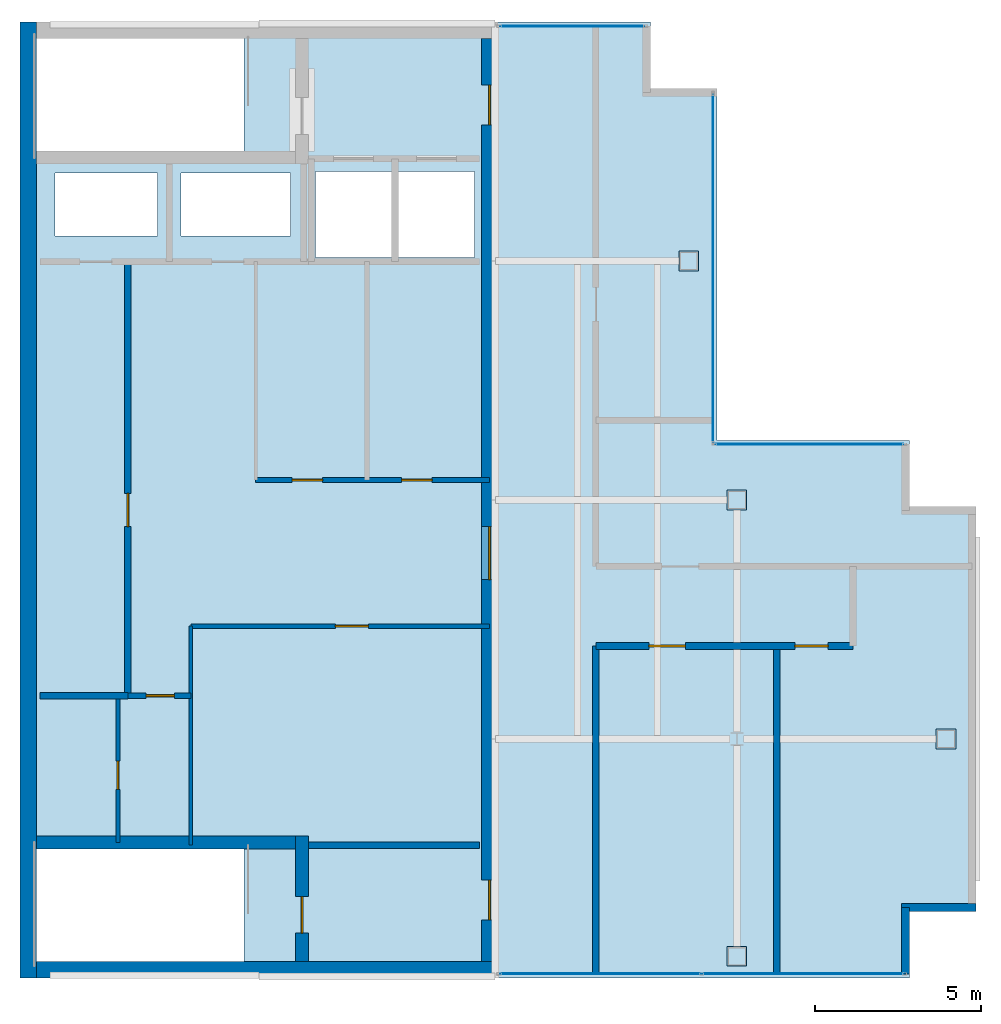
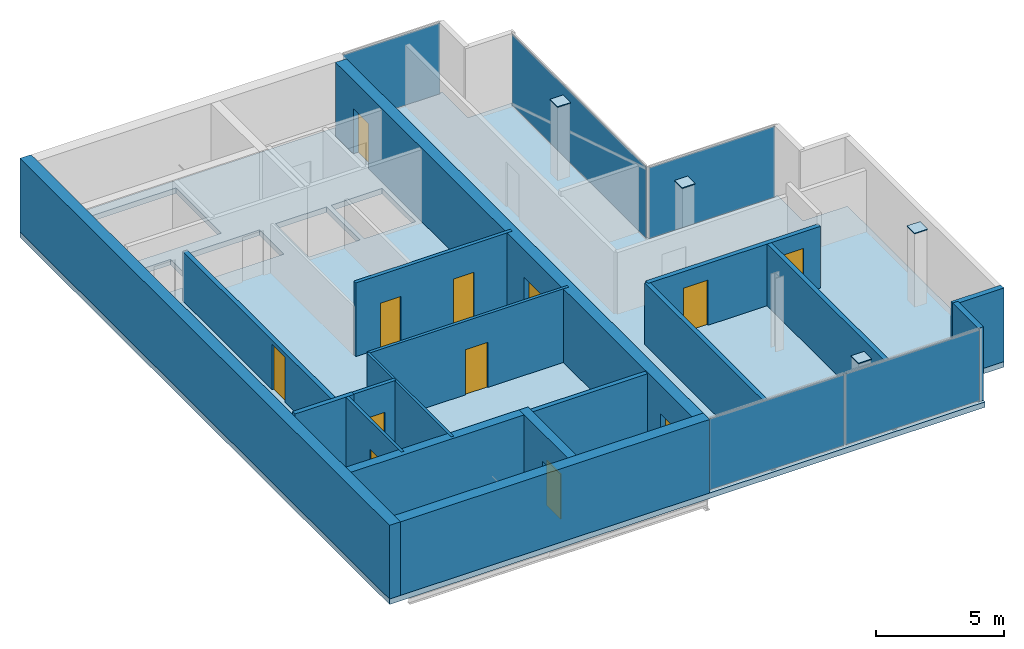
# One storey, part 13 of 15: 18 walls, 12 doors, 9 plates, 1 slab, 18 openings, 4 elements without a shape of their own.
"""IFC4 building model written with IfcOpenShell, lengths in metres."""

from ifc_helpers import new_model, si_unit, direction, frame, frame_2d, origin, origin_2d, place, context, subcontext, project, spatial, polyline, rectangle, outline, extrude, material, layer, layer_set, type_object, element, fill, aggregate, save


model = new_model("IFC4")

# Units and contexts
model_context = context("Model", 3, precision=1e-05, world=origin(), true_north=direction((0.0, 1.0)))
body_context = subcontext(model_context, "Body", "Model", "MODEL_VIEW")
ifc_project = project(units=[si_unit("LENGTHUNIT", "METRE"), si_unit("AREAUNIT", "SQUARE_METRE"), si_unit("VOLUMEUNIT", "CUBIC_METRE"), si_unit("PLANEANGLEUNIT", "RADIAN"), si_unit("MASSUNIT", "GRAM", prefix="KILO")], contexts=[model_context])

# Site, building, storey
site_placement = place(None, origin())
site = spatial("IfcSite", under=ifc_project, at=site_placement, CompositionType="ELEMENT")
building_placement = place(site_placement, origin())
building = spatial("IfcBuilding", under=site, at=building_placement, Name="Cobrela Telecom Tower", CompositionType="ELEMENT")
storey_placement = place(building_placement, frame((0.0, 0.0, 301.35009765625)))
storey = spatial("IfcBuildingStorey", under=building, at=storey_placement, Name="L79", CompositionType="ELEMENT", Elevation=301.35009765625)

# Curtain wall, plate
ifc_material_1 = material(Name="Anodized Bronze Aluminium 6063-T6", Category="aluminium")
curtain_wall_type = type_object("IfcCurtainWallType", Name="CW-SYS-DRUM", PredefinedType="USERDEFINED", material=ifc_material_1)
curtain_wall_1_placement = place(storey_placement, origin())
curtain_wall_1 = element("IfcCurtainWall", 1, at=curtain_wall_1_placement, inside=storey, type_object=curtain_wall_type, Name="L79 Unitised Bronze Curtain Wall 01", ObjectType="UNITISED CURTAIN WALL", PredefinedType="USERDEFINED")
ifc_material_2 = material(Name="Solar-Control Bronze Low-E Glass", Category="glass")
ifc_layer_1 = layer(ifc_material_2, 0.028076171875)
ifc_layer_set_1 = layer_set([ifc_layer_1], Name="Solar-Control Bronze Low-E Glass")
plate_type_1 = type_object("IfcPlateType", Name="CW-SYS-DRUM-PNL", PredefinedType="CURTAIN_PANEL", material=ifc_layer_set_1)
plate_1_placement = place(storey_placement, frame((16.639892578125, 35.8798828125, 0.06494140625), z_axis=(0.0, 0.0, 1.0), x_axis=(1.0, 0.0, 0.0)))
plate_1 = element("IfcPlate", 2, at=plate_1_placement, type_object=plate_type_1, Name="CW-DRUM panel 1.1", PredefinedType="CURTAIN_PANEL", context=body_context, shape_type="SweptSolid", body=[
    extrude(rectangle(XDim=4.35009765625, YDim=0.028076171875, at=origin_2d()), origin(), (0.0, 0.0, 1.0), 3.3701171875),
])
aggregate(curtain_wall_1, [plate_1])

curtain_wall_2_placement = place(storey_placement, origin())
curtain_wall_2 = element("IfcCurtainWall", 3, at=curtain_wall_2_placement, inside=storey, type_object=curtain_wall_type, Name="L79 Unitised Bronze Curtain Wall 04", ObjectType="UNITISED CURTAIN WALL", PredefinedType="USERDEFINED")
plate_2_placement = place(storey_placement, frame((20.8798828125, 28.580078125, 0.06494140625), z_axis=(0.0, 0.0, 1.0), x_axis=(0.0, -1.0, 0.0)))
plate_2 = element("IfcPlate", 4, at=plate_2_placement, type_object=plate_type_1, Name="CW-DRUM panel 1.1", PredefinedType="CURTAIN_PANEL", context=body_context, shape_type="SweptSolid", body=[
    extrude(rectangle(XDim=10.469970703125, YDim=0.028076171875, at=origin_2d()), origin(), (0.0, 0.0, 1.0), 3.3701171875),
])
aggregate(curtain_wall_2, [plate_2])

curtain_wall_3_placement = place(storey_placement, origin())
curtain_wall_3 = element("IfcCurtainWall", 5, at=curtain_wall_3_placement, inside=storey, type_object=curtain_wall_type, Name="L79 Unitised Bronze Curtain Wall 05", ObjectType="UNITISED CURTAIN WALL", PredefinedType="USERDEFINED")
plate_3_placement = place(storey_placement, frame((23.780029296875, 23.280029296875, 0.06494140625), z_axis=(0.0, 0.0, 1.0), x_axis=(1.0, 0.0, 0.0)))
plate_3 = element("IfcPlate", 6, at=plate_3_placement, type_object=plate_type_1, Name="CW-DRUM panel 1.1", PredefinedType="CURTAIN_PANEL", context=body_context, shape_type="SweptSolid", body=[
    extrude(rectangle(XDim=5.669921875, YDim=0.028076171875, at=origin_2d()), origin(), (0.0, 0.0, 1.0), 3.3701171875),
])
aggregate(curtain_wall_3, [plate_3])

# Curtain wall, plates
curtain_wall_4_placement = place(storey_placement, origin())
curtain_wall_4 = element("IfcCurtainWall", 7, at=curtain_wall_4_placement, inside=storey, type_object=curtain_wall_type, Name="L79 Unitised Bronze Curtain Wall 11", ObjectType="UNITISED CURTAIN WALL", PredefinedType="USERDEFINED")
plate_4_placement = place(storey_placement, frame((23.59375, 7.320068359375, 0.06494140625), z_axis=(0.0, 0.0, 1.0), x_axis=(-1.0, 0.0, 0.0)))
plate_4 = element("IfcPlate", 8, at=plate_4_placement, type_object=plate_type_1, Name="CW-DRUM panel 1.1", PredefinedType="CURTAIN_PANEL", context=body_context, shape_type="SweptSolid", body=[
    extrude(rectangle(XDim=6.04248046875, YDim=0.028076171875, at=origin_2d()), origin(), (0.0, 0.0, 1.0), 3.3701171875),
])
plate_5_placement = place(storey_placement, frame((17.486328125, 7.320068359375, 0.06494140625), z_axis=(0.0, 0.0, 1.0), x_axis=(-1.0, 0.0, 0.0)))
plate_5 = element("IfcPlate", 9, at=plate_5_placement, type_object=plate_type_1, Name="CW-DRUM panel 2.1", PredefinedType="CURTAIN_PANEL", context=body_context, shape_type="SweptSolid", body=[
    extrude(rectangle(XDim=6.04248046875, YDim=0.028076171875, at=origin_2d()), origin(), (0.0, 0.0, 1.0), 3.3701171875),
])
aggregate(curtain_wall_4, [plate_4, plate_5])

# Plates
ifc_material_3 = material(Name="Steel ASTM A572 Grade 50", Category="steel")
ifc_layer_2 = layer(ifc_material_3, 0.044921875)
ifc_layer_set_2 = layer_set([ifc_layer_2], Name="Steel ASTM A572 Grade 50")
plate_type_2 = type_object("IfcPlateType", Name="PLT-END-CAP-45", PredefinedType="SHEET", material=ifc_layer_set_2)
for number, where, z_axis, x_axis, name in (
    (10, (20.14990234375, 28.800048828125, 3.49755859375), (0.0, 0.0, 1.0), (1.0, 0.0, 0.0), "L79 Mega-Column Top End Cap Plate 53"),
    (11, (21.60009765625, 7.85009765625, 3.49755859375), (0.0, 0.0, 1.0), (1.0, 0.0, 0.0), "L79 Mega-Column Top End Cap Plate 54"),
    (12, (21.60009765625, 21.60009765625, 3.49755859375), (0.0, 0.0, 1.0), (1.0, 0.0, 0.0), "L79 Mega-Column Top End Cap Plate 55"),
    (13, (27.89990234375, 14.39990234375, 3.49755859375), (0.0, 0.0, 1.0), (1.0, 0.0, 0.0), "L79 Mega-Column Top End Cap Plate 56"),
):
    element("IfcPlate", number, at=place(storey_placement, frame(where, z_axis=z_axis, x_axis=x_axis)), inside=storey, type_object=plate_type_2, Name=name, PredefinedType="SHEET", context=body_context, shape_type="SweptSolid", body=[
        extrude(rectangle(XDim=0.590087890625, YDim=0.590087890625, at=origin_2d()), origin(), (0.0, 0.0, 1.0), 0.044921875),
    ])

# Slab, openings
ifc_material_4 = material(Name="Concrete C40/50", Category="concrete")
ifc_layer_3 = layer(ifc_material_4, 0.260009765625)
ifc_layer_set_3 = layer_set([ifc_layer_3], Name="Concrete C40/50")
slab_type = type_object("IfcSlabType", Name="SLAB-FLR-260", PredefinedType="FLOOR", material=ifc_layer_set_3)
slab_placement = place(storey_placement, frame((0.0, 0.0, -0.260009765625)))
slab = element("IfcSlab", 14, at=slab_placement, inside=storey, type_object=slab_type, Name="L79 Structural Floor Slab", PredefinedType="FLOOR", context=body_context, shape_type="SweptSolid", body=[
    extrude(outline(polyline([(0.0, 7.199951171875), (26.800048828125, 7.199951171875), (26.800048828125, 9.199951171875), (28.800048828125, 9.199951171875), (28.800048828125, 21.39990234375), (26.800048828125, 21.39990234375), (26.800048828125, 23.39990234375), (21.0, 23.39990234375), (21.0, 34.0), (19.0, 34.0), (19.0, 36.0), (0.0, 36.0), (0.0, 7.199951171875)])), origin(), (0.0, 0.0, 1.0), 0.260009765625),
])
opening_1_placement = place(slab_placement, frame((0.0, 0.0, -0.02001953125)))
element("IfcOpeningElement", 15, at=opening_1_placement, cuts=slab, Name="Slab Shaft Opening SLAB-L79-MAIN.1", PredefinedType="OPENING", context=body_context, shape_type="SweptSolid", body=[
    extrude(outline(polyline([(8.89990234375, 28.89990234375), (11.199951171875, 28.89990234375), (11.199951171875, 31.5), (8.89990234375, 31.5), (8.89990234375, 28.89990234375)])), origin(), (0.0, 0.0, 1.0), 0.300048828125),
])
opening_2_placement = place(slab_placement, frame((0.0, 0.0, -0.02001953125)))
element("IfcOpeningElement", 16, at=opening_2_placement, cuts=slab, Name="Slab Shaft Opening SLAB-L79-MAIN.2", PredefinedType="OPENING", context=body_context, shape_type="SweptSolid", body=[
    extrude(outline(polyline([(11.39990234375, 28.89990234375), (13.699951171875, 28.89990234375), (13.699951171875, 31.5), (11.39990234375, 31.5), (11.39990234375, 28.89990234375)])), origin(), (0.0, 0.0, 1.0), 0.300048828125),
])
opening_3_placement = place(slab_placement, frame((0.0, 0.0, -0.02001953125)))
element("IfcOpeningElement", 17, at=opening_3_placement, cuts=slab, Name="Slab Shaft Opening SLAB-L79-MAIN.3", PredefinedType="OPENING", context=body_context, shape_type="SweptSolid", body=[
    extrude(outline(polyline([(1.050048828125, 29.550048828125), (4.14990234375, 29.550048828125), (4.14990234375, 31.449951171875), (1.050048828125, 31.449951171875), (1.050048828125, 29.550048828125)])), origin(), (0.0, 0.0, 1.0), 0.300048828125),
])
opening_4_placement = place(slab_placement, frame((0.0, 0.0, -0.02001953125)))
element("IfcOpeningElement", 18, at=opening_4_placement, cuts=slab, Name="Slab Shaft Opening SLAB-L79-MAIN.4", PredefinedType="OPENING", context=body_context, shape_type="SweptSolid", body=[
    extrude(outline(polyline([(4.85009765625, 29.550048828125), (8.14990234375, 29.550048828125), (8.14990234375, 31.449951171875), (4.85009765625, 31.449951171875), (4.85009765625, 29.550048828125)])), origin(), (0.0, 0.0, 1.0), 0.300048828125),
])
opening_5_placement = place(slab_placement, frame((0.0, 0.0, -0.02001953125)))
element("IfcOpeningElement", 19, at=opening_5_placement, cuts=slab, Name="Slab Shaft Opening SLAB-L79-MAIN.5", PredefinedType="OPENING", context=body_context, shape_type="SweptSolid", body=[
    extrude(outline(polyline([(6.7548828125, 35.550048828125), (0.47998046875, 35.550048828125), (0.47998046875, 32.0), (6.7548828125, 32.0), (6.7548828125, 35.550048828125)])), origin(), (0.0, 0.0, 1.0), 0.300048828125),
])
opening_6_placement = place(slab_placement, frame((0.0, 0.0, -0.02001953125)))
element("IfcOpeningElement", 20, at=opening_6_placement, cuts=slab, Name="Slab Shaft Opening SLAB-L79-MAIN.6", PredefinedType="OPENING", context=body_context, shape_type="SweptSolid", body=[
    extrude(outline(polyline([(6.7548828125, 11.199951171875), (0.47998046875, 11.199951171875), (0.47998046875, 7.64990234375), (6.7548828125, 7.64990234375), (6.7548828125, 11.199951171875)])), origin(), (0.0, 0.0, 1.0), 0.300048828125),
])

# Walls
ifc_layer_4 = layer(ifc_material_4, 0.5)
ifc_layer_set_4 = layer_set([ifc_layer_4], Name="Concrete C40/50")
wall_type_1 = type_object("IfcWallType", Name="WALL-CORE-C40-500", PredefinedType="SHEAR", material=ifc_layer_set_4)
wall_1_placement = place(storey_placement, frame((0.25, 7.199951171875, 0.0), z_axis=(0.0, 0.0, 1.0), x_axis=(0.0, 1.0, 0.0)))
element("IfcWall", 21, at=wall_1_placement, inside=storey, type_object=wall_type_1, Name="L79 West Core Shear Wall", PredefinedType="SHEAR", context=body_context, shape_type="SweptSolid", body=[
    extrude(rectangle(XDim=28.800048828125, YDim=0.5, at=frame_2d((14.39990234375, 0.0))), origin(), (0.0, 0.0, 1.0), 3.5),
])
wall_2_placement = place(storey_placement, frame((0.5, 7.449951171875, 0.0), z_axis=(0.0, 0.0, 1.0), x_axis=(1.0, 0.0, 0.0)))
element("IfcWall", 22, at=wall_2_placement, inside=storey, type_object=wall_type_1, Name="L79 South Core Shear Wall", PredefinedType="SHEAR", context=body_context, shape_type="SweptSolid", body=[
    extrude(rectangle(XDim=13.89990234375, YDim=0.5, at=frame_2d((6.949951171875, 0.0))), origin(), (0.0, 0.0, 1.0), 3.5),
])

# Wall, openings, doors
wall_3_placement = place(storey_placement, frame((14.14990234375, 35.5, 0.0), z_axis=(0.0, 0.0, 1.0), x_axis=(0.0, -1.0, 0.0)))
wall_3 = element("IfcWall", 23, at=wall_3_placement, inside=storey, type_object=wall_type_1, Name="L79 East Core Shear Wall", PredefinedType="SHEAR", context=body_context, shape_type="SweptSolid", body=[
    extrude(rectangle(XDim=27.800048828125, YDim=0.5, at=frame_2d((13.89990234375, 0.0))), origin(), (0.0, 0.0, 1.0), 3.5),
])
opening_7_placement = place(wall_3_placement, frame((1.39990234375, 0.0, 0.0)))
opening_7 = element("IfcOpeningElement", 24, at=opening_7_placement, cuts=wall_3, Name="Opening DR-19", PredefinedType="OPENING", context=body_context, shape_type="SweptSolid", body=[
    extrude(rectangle(XDim=1.199951171875, YDim=2.14990234375, at=frame_2d((0.60009765625, 1.074951171875))), frame((0.0, 0.261962890625, 0.0), z_axis=(0.0, -1.0, 0.0), x_axis=(1.0, 0.0, 0.0)), (0.0, 0.0, 1.0), 0.52392578125),
])
opening_8_placement = place(wall_3_placement, frame((25.35009765625, 0.0, 0.0)))
opening_8 = element("IfcOpeningElement", 25, at=opening_8_placement, cuts=wall_3, Name="Opening DR-19", PredefinedType="OPENING", context=body_context, shape_type="SweptSolid", body=[
    extrude(rectangle(XDim=1.199951171875, YDim=2.14990234375, at=frame_2d((0.60009765625, 1.074951171875))), frame((0.0, 0.261962890625, 0.0), z_axis=(0.0, -1.0, 0.0), x_axis=(1.0, 0.0, 0.0)), (0.0, 0.0, 1.0), 0.52392578125),
])
opening_9_placement = place(wall_3_placement, frame((14.699951171875, 0.0, 0.0)))
opening_9 = element("IfcOpeningElement", 26, at=opening_9_placement, cuts=wall_3, Name="Opening DR-51", PredefinedType="OPENING", context=body_context, shape_type="SweptSolid", body=[
    extrude(rectangle(XDim=1.60009765625, YDim=2.199951171875, at=frame_2d((0.800048828125, 1.10009765625))), frame((0.0, 0.261962890625, 0.0), z_axis=(0.0, -1.0, 0.0), x_axis=(1.0, 0.0, 0.0)), (0.0, 0.0, 1.0), 0.52392578125),
])
ifc_material_5 = material(Name="Steel ASTM A36", Category="steel")
door_type_1 = type_object("IfcDoorType", Name="DOOR-FD60-1200", OperationType="SINGLE_SWING_LEFT", PredefinedType="DOOR", material=ifc_material_5)
door_1_placement = place(opening_7_placement, origin())
door_1 = element("IfcDoor", 27, at=door_1_placement, inside=storey, type_object=door_type_1, Name="L79 Door DR-19", OperationType="SINGLE_SWING_LEFT", OverallHeight=2.14990234375, OverallWidth=1.199951171875, PredefinedType="DOOR", context=body_context, shape_type="SweptSolid", body=[
    extrude(rectangle(XDim=1.199951171875, YDim=2.14990234375, at=frame_2d((0.60009765625, 1.074951171875))), frame((0.0, 0.02490234375, 0.0), z_axis=(0.0, -1.0, 0.0), x_axis=(1.0, 0.0, 0.0)), (0.0, 0.0, 1.0), 0.050048828125),
])
fill(opening_7, door_1)
door_2_placement = place(opening_8_placement, origin())
door_2 = element("IfcDoor", 28, at=door_2_placement, inside=storey, type_object=door_type_1, Name="L79 Door DR-19", OperationType="SINGLE_SWING_RIGHT", OverallHeight=2.14990234375, OverallWidth=1.199951171875, PredefinedType="DOOR", context=body_context, shape_type="SweptSolid", body=[
    extrude(rectangle(XDim=1.199951171875, YDim=2.14990234375, at=frame_2d((0.60009765625, 1.074951171875))), frame((0.0, 0.02490234375, 0.0), z_axis=(0.0, -1.0, 0.0), x_axis=(1.0, 0.0, 0.0)), (0.0, 0.0, 1.0), 0.050048828125),
])
fill(opening_8, door_2)
door_type_2 = type_object("IfcDoorType", Name="DOOR-FD60-1600", OperationType="SINGLE_SWING_LEFT", PredefinedType="DOOR", material=ifc_material_5)
door_3_placement = place(opening_9_placement, origin())
door_3 = element("IfcDoor", 29, at=door_3_placement, inside=storey, type_object=door_type_2, Name="L79 Door DR-51", OperationType="DOUBLE_DOOR_SINGLE_SWING", OverallHeight=2.199951171875, OverallWidth=1.60009765625, PredefinedType="DOOR", context=body_context, shape_type="SweptSolid", body=[
    extrude(rectangle(XDim=1.60009765625, YDim=2.199951171875, at=frame_2d((0.800048828125, 1.10009765625))), frame((0.0, 0.02490234375, 0.0), z_axis=(0.0, -1.0, 0.0), x_axis=(1.0, 0.0, 0.0)), (0.0, 0.0, 1.0), 0.050048828125),
])
fill(opening_9, door_3)

# Walls
ifc_layer_5 = layer(ifc_material_4, 0.239990234375)
ifc_layer_set_5 = layer_set([ifc_layer_5], Name="Concrete C40/50")
wall_type_2 = type_object("IfcWallType", Name="WALL-EXT-300", PredefinedType="STANDARD", material=ifc_layer_set_5)
wall_4_placement = place(storey_placement, frame((28.800048828125, 9.320068359375, 0.0), z_axis=(0.0, 0.0, 1.0), x_axis=(-1.0, 0.0, 0.0)))
element("IfcWall", 30, at=wall_4_placement, inside=storey, type_object=wall_type_2, Name="L79 Insulated Facade Wall 09", PredefinedType="STANDARD", context=body_context, shape_type="SweptSolid", body=[
    extrude(rectangle(XDim=2.239990234375, YDim=0.239990234375, at=frame_2d((1.1201171875, 0.0))), origin(), (0.0, 0.0, 1.0), 3.5),
])
wall_5_placement = place(storey_placement, frame((26.679931640625, 9.320068359375, 0.0), z_axis=(0.0, 0.0, 1.0), x_axis=(0.0, -1.0, 0.0)))
element("IfcWall", 31, at=wall_5_placement, inside=storey, type_object=wall_type_2, Name="L79 Insulated Facade Wall 10", PredefinedType="STANDARD", context=body_context, shape_type="SweptSolid", body=[
    extrude(rectangle(XDim=2.0, YDim=0.239990234375, at=frame_2d((1.0, 0.0))), origin(), (0.0, 0.0, 1.0), 3.5),
])
ifc_material_6 = material(Name="Fire-Rated Gypsum Plasterboard")
ifc_layer_6 = layer(ifc_material_6, 0.110107421875)
ifc_layer_set_6 = layer_set([ifc_layer_6], Name="Fire-Rated Gypsum Plasterboard")
wall_type_3 = type_object("IfcWallType", Name="WALL-PART-110", PredefinedType="PARTITIONING", material=ifc_layer_set_6)
wall_6_placement = place(storey_placement, frame((5.14990234375, 11.199951171875, 0.0), z_axis=(0.0, 0.0, 1.0), x_axis=(0.0, 1.0, 0.0)))
element("IfcWall", 32, at=wall_6_placement, inside=storey, type_object=wall_type_3, Name="L79 Interior Partition CW-RECM-W", PredefinedType="PARTITIONING", context=body_context, shape_type="SweptSolid", body=[
    extrude(rectangle(XDim=6.60009765625, YDim=0.110107421875, at=frame_2d((3.300048828125, 0.0))), origin(), (0.0, 0.0, 1.0), 3.5),
])

# Wall, opening, door
ifc_layer_7 = layer(ifc_material_6, 0.125)
ifc_layer_set_7 = layer_set([ifc_layer_7], Name="Fire-Rated Gypsum Plasterboard")
wall_type_4 = type_object("IfcWallType", Name="WALL-PART-125", PredefinedType="PARTITIONING", material=ifc_layer_set_7)
wall_7_placement = place(storey_placement, frame((2.949951171875, 11.280029296875, 0.0), z_axis=(0.0, 0.0, 1.0), x_axis=(0.0, 1.0, 0.0)))
wall_7 = element("IfcWall", 33, at=wall_7_placement, inside=storey, type_object=wall_type_4, Name="L79 Interior Partition CW-FK1-V", PredefinedType="PARTITIONING", context=body_context, shape_type="SweptSolid", body=[
    extrude(rectangle(XDim=4.419921875, YDim=0.125, at=frame_2d((2.2099609375, 0.0))), origin(), (0.0, 0.0, 1.0), 3.5),
])
opening_10_placement = place(wall_7_placement, frame((1.60009765625, 0.0, 0.0)))
opening_10 = element("IfcOpeningElement", 34, at=opening_10_placement, cuts=wall_7, Name="Opening DR-11", PredefinedType="OPENING", context=body_context, shape_type="SweptSolid", body=[
    extrude(rectangle(XDim=0.85009765625, YDim=2.14990234375, at=frame_2d((0.425048828125, 1.074951171875))), frame((0.0, 0.074462890625, 0.0), z_axis=(0.0, -1.0, 0.0), x_axis=(1.0, 0.0, 0.0)), (0.0, 0.0, 1.0), 0.14892578125),
])
ifc_material_7 = material(Name="Solid Engineered Oak Timber", Category="wood")
door_type_3 = type_object("IfcDoorType", Name="DOOR-INT-850", OperationType="SINGLE_SWING_LEFT", PredefinedType="DOOR", material=ifc_material_7)
door_4_placement = place(opening_10_placement, origin())
door_4 = element("IfcDoor", 35, at=door_4_placement, inside=storey, type_object=door_type_3, Name="L79 Door DR-11", OperationType="SINGLE_SWING_RIGHT", OverallHeight=2.14990234375, OverallWidth=0.85009765625, PredefinedType="DOOR", context=body_context, shape_type="SweptSolid", body=[
    extrude(rectangle(XDim=0.85009765625, YDim=2.14990234375, at=frame_2d((0.425048828125, 1.074951171875))), frame((0.0, 0.02490234375, 0.0), z_axis=(0.0, -1.0, 0.0), x_axis=(1.0, 0.0, 0.0)), (0.0, 0.0, 1.0), 0.050048828125),
])
fill(opening_10, door_4)

ifc_layer_8 = layer(ifc_material_6, 0.135009765625)
ifc_layer_set_8 = layer_set([ifc_layer_8], Name="Fire-Rated Gypsum Plasterboard")
wall_type_5 = type_object("IfcWallType", Name="WALL-PART-135", PredefinedType="PARTITIONING", material=ifc_layer_set_8)
wall_8_placement = place(storey_placement, frame((5.14990234375, 17.800048828125, 0.0), z_axis=(0.0, 0.0, 1.0), x_axis=(1.0, 0.0, 0.0)))
wall_8 = element("IfcWall", 36, at=wall_8_placement, inside=storey, type_object=wall_type_5, Name="L79 Interior Partition CW-RECM-N", PredefinedType="PARTITIONING", context=body_context, shape_type="SweptSolid", body=[
    extrude(rectangle(XDim=9.0, YDim=0.135009765625, at=frame_2d((4.5, 0.0))), origin(), (0.0, 0.0, 1.0), 3.5),
])
opening_11_placement = place(wall_8_placement, frame((4.35009765625, 0.0, 0.0)))
opening_11 = element("IfcOpeningElement", 37, at=opening_11_placement, cuts=wall_8, Name="Opening DR-31", PredefinedType="OPENING", context=body_context, shape_type="SweptSolid", body=[
    extrude(rectangle(XDim=1.0, YDim=2.14990234375, at=frame_2d((0.5, 1.074951171875))), frame((0.0, 0.07958984375, 0.0), z_axis=(0.0, -1.0, 0.0), x_axis=(1.0, 0.0, 0.0)), (0.0, 0.0, 1.0), 0.158935546875),
])
door_type_4 = type_object("IfcDoorType", Name="DOOR-INT-1000", OperationType="SINGLE_SWING_LEFT", PredefinedType="DOOR", material=ifc_material_7)
door_5_placement = place(opening_11_placement, origin())
door_5 = element("IfcDoor", 38, at=door_5_placement, inside=storey, type_object=door_type_4, Name="L79 Door DR-31", OperationType="SINGLE_SWING_LEFT", OverallHeight=2.14990234375, OverallWidth=1.0, PredefinedType="DOOR", context=body_context, shape_type="SweptSolid", body=[
    extrude(rectangle(XDim=1.0, YDim=2.14990234375, at=frame_2d((0.5, 1.074951171875))), frame((0.0, 0.02490234375, 0.0), z_axis=(0.0, -1.0, 0.0), x_axis=(1.0, 0.0, 0.0)), (0.0, 0.0, 1.0), 0.050048828125),
])
fill(opening_11, door_5)

# Wall, openings, doors
ifc_layer_9 = layer(ifc_material_6, 0.159912109375)
ifc_layer_set_9 = layer_set([ifc_layer_9], Name="Fire-Rated Gypsum Plasterboard")
wall_type_6 = type_object("IfcWallType", Name="WALL-PART-160", PredefinedType="PARTITIONING", material=ifc_layer_set_9)
wall_9_placement = place(storey_placement, frame((7.10009765625, 22.199951171875, 0.0), z_axis=(0.0, 0.0, 1.0), x_axis=(1.0, 0.0, 0.0)))
wall_9 = element("IfcWall", 39, at=wall_9_placement, inside=storey, type_object=wall_type_6, Name="L79 Interior Partition CW-RECL-S", PredefinedType="PARTITIONING", context=body_context, shape_type="SweptSolid", body=[
    extrude(rectangle(XDim=7.0498046875, YDim=0.159912109375, at=frame_2d((3.52490234375, 0.0))), origin(), (0.0, 0.0, 1.0), 3.5),
])
opening_12_placement = place(wall_9_placement, frame((1.10009765625, 0.0, 0.0)))
opening_12 = element("IfcOpeningElement", 40, at=opening_12_placement, cuts=wall_9, Name="Opening DR-45", PredefinedType="OPENING", context=body_context, shape_type="SweptSolid", body=[
    extrude(rectangle(XDim=0.919921875, YDim=2.14990234375, at=frame_2d((0.4599609375, 1.074951171875))), frame((0.0, 0.091796875, 0.0), z_axis=(0.0, -1.0, 0.0), x_axis=(1.0, 0.0, 0.0)), (0.0, 0.0, 1.0), 0.183837890625),
])
opening_13_placement = place(wall_9_placement, frame((4.39990234375, 0.0, 0.0)))
opening_13 = element("IfcOpeningElement", 41, at=opening_13_placement, cuts=wall_9, Name="Opening DR-45", PredefinedType="OPENING", context=body_context, shape_type="SweptSolid", body=[
    extrude(rectangle(XDim=0.919921875, YDim=2.14990234375, at=frame_2d((0.4599609375, 1.074951171875))), frame((0.0, 0.091796875, 0.0), z_axis=(0.0, -1.0, 0.0), x_axis=(1.0, 0.0, 0.0)), (0.0, 0.0, 1.0), 0.183837890625),
])
door_type_5 = type_object("IfcDoorType", Name="DOOR-INT-920", OperationType="SINGLE_SWING_LEFT", PredefinedType="DOOR", material=ifc_material_7)
door_6_placement = place(opening_12_placement, origin())
door_6 = element("IfcDoor", 42, at=door_6_placement, inside=storey, type_object=door_type_5, Name="L79 Door DR-45", OperationType="SINGLE_SWING_LEFT", OverallHeight=2.14990234375, OverallWidth=0.919921875, PredefinedType="DOOR", context=body_context, shape_type="SweptSolid", body=[
    extrude(rectangle(XDim=0.919921875, YDim=2.14990234375, at=frame_2d((0.4599609375, 1.074951171875))), frame((0.0, 0.02490234375, 0.0), z_axis=(0.0, -1.0, 0.0), x_axis=(1.0, 0.0, 0.0)), (0.0, 0.0, 1.0), 0.050048828125),
])
fill(opening_12, door_6)
door_7_placement = place(opening_13_placement, origin())
door_7 = element("IfcDoor", 43, at=door_7_placement, inside=storey, type_object=door_type_5, Name="L79 Door DR-45", OperationType="SINGLE_SWING_RIGHT", OverallHeight=2.14990234375, OverallWidth=0.919921875, PredefinedType="DOOR", context=body_context, shape_type="SweptSolid", body=[
    extrude(rectangle(XDim=0.919921875, YDim=2.14990234375, at=frame_2d((0.4599609375, 1.074951171875))), frame((0.0, 0.02490234375, 0.0), z_axis=(0.0, -1.0, 0.0), x_axis=(1.0, 0.0, 0.0)), (0.0, 0.0, 1.0), 0.050048828125),
])
fill(opening_13, door_7)

# Wall, opening, door
wall_10_placement = place(storey_placement, frame((3.25, 15.699951171875, 0.0), z_axis=(0.0, 0.0, 1.0), x_axis=(1.0, 0.0, 0.0)))
wall_10 = element("IfcWall", 44, at=wall_10_placement, inside=storey, type_object=wall_type_6, Name="L79 Interior Partition CW-FLEX-N", PredefinedType="PARTITIONING", context=body_context, shape_type="SweptSolid", body=[
    extrude(rectangle(XDim=1.89990234375, YDim=0.159912109375, at=frame_2d((0.949951171875, 0.0))), origin(), (0.0, 0.0, 1.0), 3.5),
])
opening_14_placement = place(wall_10_placement, frame((0.550048828125, 0.0, 0.0)))
opening_14 = element("IfcOpeningElement", 45, at=opening_14_placement, cuts=wall_10, Name="Opening DR-11", PredefinedType="OPENING", context=body_context, shape_type="SweptSolid", body=[
    extrude(rectangle(XDim=0.85009765625, YDim=2.14990234375, at=frame_2d((0.425048828125, 1.074951171875))), frame((0.0, 0.091796875, 0.0), z_axis=(0.0, -1.0, 0.0), x_axis=(1.0, 0.0, 0.0)), (0.0, 0.0, 1.0), 0.183837890625),
])
door_8_placement = place(opening_14_placement, origin())
door_8 = element("IfcDoor", 46, at=door_8_placement, inside=storey, type_object=door_type_3, Name="L79 Door DR-11", OperationType="SINGLE_SWING_LEFT", OverallHeight=2.14990234375, OverallWidth=0.85009765625, PredefinedType="DOOR", context=body_context, shape_type="SweptSolid", body=[
    extrude(rectangle(XDim=0.85009765625, YDim=2.14990234375, at=frame_2d((0.425048828125, 1.074951171875))), frame((0.0, 0.02490234375, 0.0), z_axis=(0.0, -1.0, 0.0), x_axis=(1.0, 0.0, 0.0)), (0.0, 0.0, 1.0), 0.050048828125),
])
fill(opening_14, door_8)

# Wall
ifc_layer_10 = layer(ifc_material_6, 0.199951171875)
ifc_layer_set_10 = layer_set([ifc_layer_10], Name="Fire-Rated Gypsum Plasterboard")
wall_type_7 = type_object("IfcWallType", Name="WALL-SHAFT-200", PredefinedType="PARTITIONING", material=ifc_layer_set_10)
wall_11_placement = place(storey_placement, frame((8.699951171875, 11.199951171875, 0.0), z_axis=(0.0, 0.0, 1.0), x_axis=(1.0, 0.0, 0.0)))
element("IfcWall", 47, at=wall_11_placement, inside=storey, type_object=wall_type_7, Name="L79 Shaft Enclosure CW-ST2L-N", PredefinedType="PARTITIONING", context=body_context, shape_type="SweptSolid", body=[
    extrude(rectangle(XDim=5.150146484375, YDim=0.199951171875, at=frame_2d((2.5751953125, 0.0))), origin(), (0.0, 0.0, 1.0), 3.5),
])

# Wall, opening, door
wall_12_placement = place(storey_placement, frame((3.25, 15.699951171875, 0.0), z_axis=(0.0, 0.0, 1.0), x_axis=(0.0, 1.0, 0.0)))
wall_12 = element("IfcWall", 48, at=wall_12_placement, inside=storey, type_object=wall_type_7, Name="L79 Shaft Enclosure CW-PLH-E", PredefinedType="PARTITIONING", context=body_context, shape_type="SweptSolid", body=[
    extrude(rectangle(XDim=13.080078125, YDim=0.199951171875, at=frame_2d((6.5400390625, 0.0))), origin(), (0.0, 0.0, 1.0), 2.346923828125),
])
opening_15_placement = place(wall_12_placement, frame((5.10009765625, 0.0, 0.0)))
opening_15 = element("IfcOpeningElement", 49, at=opening_15_placement, cuts=wall_12, Name="Opening DR-15", PredefinedType="OPENING", context=body_context, shape_type="SweptSolid", body=[
    extrude(rectangle(XDim=1.0, YDim=2.14990234375, at=frame_2d((0.5, 1.074951171875))), frame((0.0, 0.11181640625, 0.0), z_axis=(0.0, -1.0, 0.0), x_axis=(1.0, 0.0, 0.0)), (0.0, 0.0, 1.0), 0.223876953125),
])
door_type_6 = type_object("IfcDoorType", Name="DOOR-FD60-1000", OperationType="SINGLE_SWING_LEFT", PredefinedType="DOOR", material=ifc_material_5)
door_9_placement = place(opening_15_placement, origin())
door_9 = element("IfcDoor", 50, at=door_9_placement, inside=storey, type_object=door_type_6, Name="L79 Door DR-15", OperationType="SINGLE_SWING_LEFT", OverallHeight=2.14990234375, OverallWidth=1.0, PredefinedType="DOOR", context=body_context, shape_type="SweptSolid", body=[
    extrude(rectangle(XDim=1.0, YDim=2.14990234375, at=frame_2d((0.5, 1.074951171875))), frame((0.0, 0.02490234375, 0.0), z_axis=(0.0, -1.0, 0.0), x_axis=(1.0, 0.0, 0.0)), (0.0, 0.0, 1.0), 0.050048828125),
])
fill(opening_15, door_9)

# Walls
wall_13_placement = place(storey_placement, frame((0.60009765625, 15.699951171875, 0.0), z_axis=(0.0, 0.0, 1.0), x_axis=(1.0, 0.0, 0.0)))
element("IfcWall", 51, at=wall_13_placement, inside=storey, type_object=wall_type_7, Name="L79 Shaft Enclosure CW-PLH-BS", PredefinedType="PARTITIONING", context=body_context, shape_type="SweptSolid", body=[
    extrude(rectangle(XDim=2.64990234375, YDim=0.199951171875, at=frame_2d((1.324951171875, 0.0))), origin(), (0.0, 0.0, 1.0), 3.5),
])
wall_14_placement = place(storey_placement, frame((17.35009765625, 7.320068359375, 0.0), z_axis=(0.0, 0.0, 1.0), x_axis=(0.0, 1.0, 0.0)))
element("IfcWall", 52, at=wall_14_placement, inside=storey, type_object=wall_type_7, Name="L79 Shaft Enclosure W-DR-E1", PredefinedType="PARTITIONING", context=body_context, shape_type="SweptSolid", body=[
    extrude(rectangle(XDim=9.8798828125, YDim=0.199951171875, at=frame_2d((4.93994140625, 0.0))), origin(), (0.0, 0.0, 1.0), 2.935791015625),
])

# Wall, openings, doors
wall_15_placement = place(storey_placement, frame((17.35009765625, 17.199951171875, 0.0), z_axis=(0.0, 0.0, 1.0), x_axis=(1.0, 0.0, 0.0)))
wall_15 = element("IfcWall", 53, at=wall_15_placement, inside=storey, type_object=wall_type_7, Name="L79 Shaft Enclosure W-DR-HS", PredefinedType="PARTITIONING", context=body_context, shape_type="SweptSolid", body=[
    extrude(rectangle(XDim=7.75, YDim=0.199951171875, at=frame_2d((3.875, 0.0))), origin(), (0.0, 0.0, 1.0), 2.935791015625),
])
opening_16_placement = place(wall_15_placement, frame((1.60009765625, 0.0, 0.0)))
opening_16 = element("IfcOpeningElement", 54, at=opening_16_placement, cuts=wall_15, Name="Opening DR-59", PredefinedType="OPENING", context=body_context, shape_type="SweptSolid", body=[
    extrude(rectangle(XDim=1.10009765625, YDim=2.14990234375, at=frame_2d((0.550048828125, 1.074951171875))), frame((0.0, 0.11181640625, 0.0), z_axis=(0.0, -1.0, 0.0), x_axis=(1.0, 0.0, 0.0)), (0.0, 0.0, 1.0), 0.223876953125),
])
opening_17_placement = place(wall_15_placement, frame((6.0, 0.0, 0.0)))
opening_17 = element("IfcOpeningElement", 55, at=opening_17_placement, cuts=wall_15, Name="Opening DR-15", PredefinedType="OPENING", context=body_context, shape_type="SweptSolid", body=[
    extrude(rectangle(XDim=1.0, YDim=2.14990234375, at=frame_2d((0.5, 1.074951171875))), frame((0.0, 0.11181640625, 0.0), z_axis=(0.0, -1.0, 0.0), x_axis=(1.0, 0.0, 0.0)), (0.0, 0.0, 1.0), 0.223876953125),
])
door_10_placement = place(opening_17_placement, origin())
door_10 = element("IfcDoor", 56, at=door_10_placement, inside=storey, type_object=door_type_6, Name="L79 Door DR-15", OperationType="SINGLE_SWING_LEFT", OverallHeight=2.14990234375, OverallWidth=1.0, PredefinedType="DOOR", context=body_context, shape_type="SweptSolid", body=[
    extrude(rectangle(XDim=1.0, YDim=2.14990234375, at=frame_2d((0.5, 1.074951171875))), frame((0.0, 0.02490234375, 0.0), z_axis=(0.0, -1.0, 0.0), x_axis=(1.0, 0.0, 0.0)), (0.0, 0.0, 1.0), 0.050048828125),
])
fill(opening_17, door_10)
door_type_7 = type_object("IfcDoorType", Name="DOOR-FD60-1100", OperationType="SINGLE_SWING_LEFT", PredefinedType="DOOR", material=ifc_material_5)
door_11_placement = place(opening_16_placement, origin())
door_11 = element("IfcDoor", 57, at=door_11_placement, inside=storey, type_object=door_type_7, Name="L79 Door DR-59", OperationType="SINGLE_SWING_RIGHT", OverallHeight=2.14990234375, OverallWidth=1.10009765625, PredefinedType="DOOR", context=body_context, shape_type="SweptSolid", body=[
    extrude(rectangle(XDim=1.10009765625, YDim=2.14990234375, at=frame_2d((0.550048828125, 1.074951171875))), frame((0.0, 0.02490234375, 0.0), z_axis=(0.0, -1.0, 0.0), x_axis=(1.0, 0.0, 0.0)), (0.0, 0.0, 1.0), 0.050048828125),
])
fill(opening_16, door_11)

# Walls
wall_16_placement = place(storey_placement, frame((22.800048828125, 7.320068359375, 0.0), z_axis=(0.0, 0.0, 1.0), x_axis=(0.0, 1.0, 0.0)))
element("IfcWall", 58, at=wall_16_placement, inside=storey, type_object=wall_type_7, Name="L79 Shaft Enclosure W-DR-V", PredefinedType="PARTITIONING", context=body_context, shape_type="SweptSolid", body=[
    extrude(rectangle(XDim=9.8798828125, YDim=0.199951171875, at=frame_2d((4.93994140625, 0.0))), origin(), (0.0, 0.0, 1.0), 2.935791015625),
])
ifc_layer_11 = layer(ifc_material_4, 0.39990234375)
ifc_layer_set_11 = layer_set([ifc_layer_11], Name="Concrete C40/50")
wall_type_8 = type_object("IfcWallType", Name="WALL-SHAFT-C40-400", PredefinedType="SHEAR", material=ifc_layer_set_11)
wall_17_placement = place(storey_placement, frame((0.5, 11.280029296875, 0.0), z_axis=(0.0, 0.0, 1.0), x_axis=(1.0, 0.0, 0.0)))
element("IfcWall", 59, at=wall_17_placement, inside=storey, type_object=wall_type_8, Name="L79 South Stair Shear Wall", PredefinedType="SHEAR", context=body_context, shape_type="SweptSolid", body=[
    extrude(rectangle(XDim=7.800048828125, YDim=0.39990234375, at=frame_2d((3.89990234375, 0.0))), origin(), (0.0, 0.0, 1.0), 3.5),
])

# Wall, opening, door
wall_18_placement = place(storey_placement, frame((8.5, 7.699951171875, 0.0), z_axis=(0.0, 0.0, 1.0), x_axis=(0.0, 1.0, 0.0)))
wall_18 = element("IfcWall", 60, at=wall_18_placement, inside=storey, type_object=wall_type_8, Name="L79 South Stair Lobby Shear Wall", PredefinedType="SHEAR", context=body_context, shape_type="SweptSolid", body=[
    extrude(rectangle(XDim=3.780029296875, YDim=0.39990234375, at=frame_2d((1.89013671875, 0.0))), origin(), (0.0, 0.0, 1.0), 3.5),
])
opening_18_placement = place(wall_18_placement, frame((0.85009765625, 0.0, 0.0)))
opening_18 = element("IfcOpeningElement", 61, at=opening_18_placement, cuts=wall_18, Name="Opening FD-90", PredefinedType="OPENING", context=body_context, shape_type="SweptSolid", body=[
    extrude(rectangle(XDim=1.10009765625, YDim=2.14990234375, at=frame_2d((0.550048828125, 1.074951171875))), frame((0.0, 0.2119140625, 0.0), z_axis=(0.0, -1.0, 0.0), x_axis=(1.0, 0.0, 0.0)), (0.0, 0.0, 1.0), 0.423828125),
])
door_type_8 = type_object("IfcDoorType", Name="DOOR-FD90-1100", OperationType="SINGLE_SWING_LEFT", PredefinedType="DOOR", material=ifc_material_5)
door_12_placement = place(opening_18_placement, origin())
door_12 = element("IfcDoor", 62, at=door_12_placement, inside=storey, type_object=door_type_8, Name="L79 Door FD-90", OperationType="SINGLE_SWING_LEFT", OverallHeight=2.14990234375, OverallWidth=1.10009765625, PredefinedType="DOOR", context=body_context, shape_type="SweptSolid", body=[
    extrude(rectangle(XDim=1.10009765625, YDim=2.14990234375, at=frame_2d((0.550048828125, 1.074951171875))), frame((0.0, 0.02490234375, 0.0), z_axis=(0.0, -1.0, 0.0), x_axis=(1.0, 0.0, 0.0)), (0.0, 0.0, 1.0), 0.050048828125),
])
fill(opening_18, door_12)

save(model, "model.ifc")
